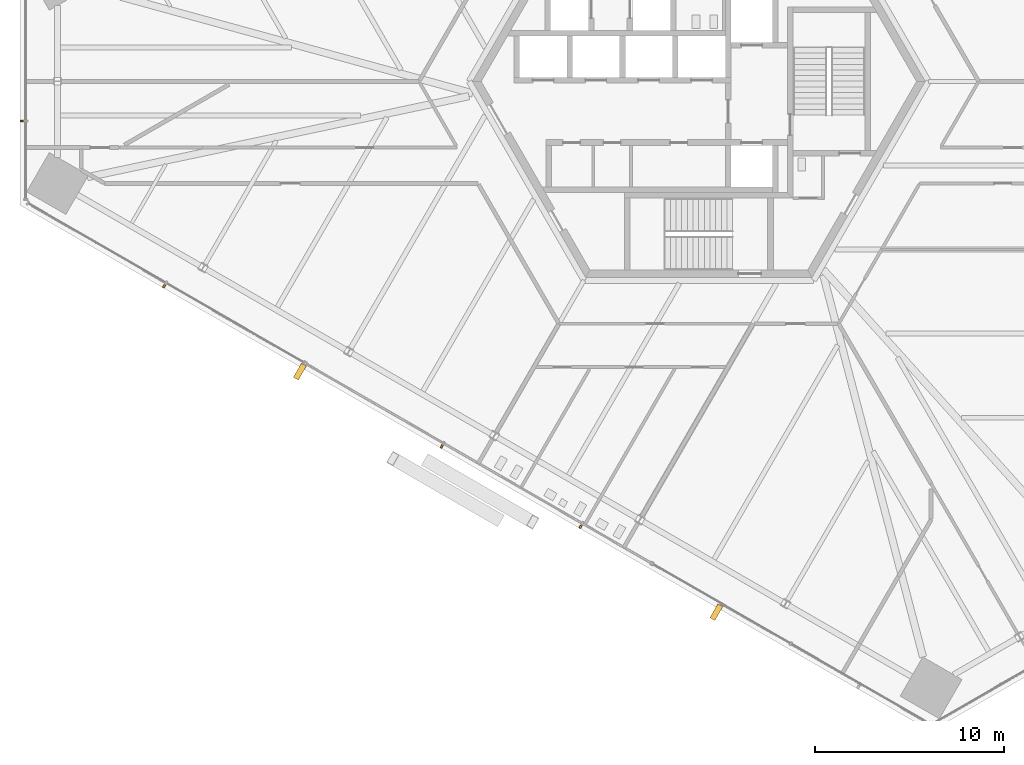
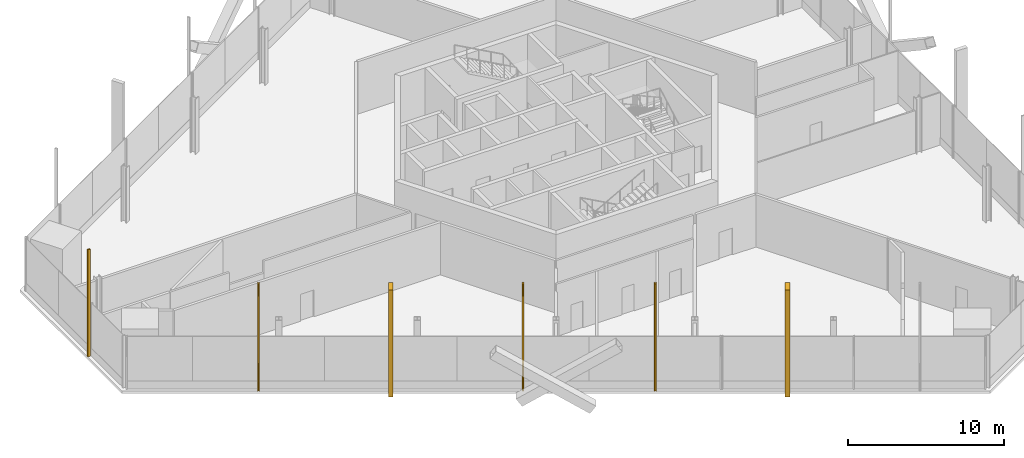
# One storey, part 14 of 18: 6 shading devices.
"""IFC4 building model written with IfcOpenShell, lengths in metres."""

from ifc_helpers import new_model, si_unit, direction, frame, origin, origin_2d, place, context, subcontext, project, spatial, rectangle, extrude, source, transform, mapped, material, element, save


model = new_model("IFC4")

# Units and contexts
model_context = context("Model", 3, precision=1e-05, world=origin(), true_north=direction((0.0, 1.0)))
body_context = subcontext(model_context, "Body", "Model", "MODEL_VIEW")
ifc_project = project(units=[si_unit("LENGTHUNIT", "METRE"), si_unit("AREAUNIT", "SQUARE_METRE"), si_unit("VOLUMEUNIT", "CUBIC_METRE"), si_unit("PLANEANGLEUNIT", "RADIAN"), si_unit("MASSUNIT", "GRAM", prefix="KILO")], contexts=[model_context])

# Site, building, storey
site_placement = place(None, origin())
site = spatial("IfcSite", under=ifc_project, at=site_placement, CompositionType="ELEMENT")
building_placement = place(site_placement, origin())
building = spatial("IfcBuilding", under=site, at=building_placement, Name="Triune Harvest Tower", CompositionType="ELEMENT")
storey_placement = place(building_placement, frame((0.0, 0.0, 33.199951171875)))
storey = spatial("IfcBuildingStorey", under=building, at=storey_placement, Name="L07", CompositionType="ELEMENT", Elevation=33.199951171875)

# Shading devices
ifc_material = material(Name="Aluminium bronze anodised", Category="aluminium")
shared_shape_1 = source(origin(), body_context, "Body", "SweptSolid", [
    extrude(rectangle(XDim=0.10009765625, YDim=0.199951171875, at=origin_2d()), origin(), (0.0, 0.0, 1.0), 8.39990234375),
])
for number, where, z_axis, x_axis, name in (
    (1, (-35.880615234375, -2.098876953125, 0.0), (0.0, 0.0, 1.0), (0.0, -1.0, 0.0), "FN-1 fin B1-F4.3 L07"),
    (2, (-28.343505859375, -10.853759765625, 0.0), (0.0, 0.0, 1.0), (0.866025470037, -0.499999885247, 0.0), "FN-1 fin B1-F5.3 L07"),
    (3, (-13.62548828125, -19.351318359375, 0.0), (0.0, 0.0, 1.0), (0.866025470037, -0.499999885247, 0.0), "FN-1 fin B1-F5.7 L07"),
    (4, (-6.266357421875, -23.599853515625, 0.0), (0.0, 0.0, 1.0), (0.866025470037, -0.499999885247, 0.0), "FN-1 fin B1-F5.9 L07"),
):
    element("IfcShadingDevice", number, at=place(storey_placement, frame(where, z_axis=z_axis, x_axis=x_axis)), inside=storey, material=ifc_material, Name=name, ObjectType="FIN", PredefinedType="USERDEFINED", context=body_context, shape_type="MappedRepresentation", body=[
        mapped(shared_shape_1, transform((0.0, 0.0, 0.0), scale=1.0)),
    ])
shared_shape_2 = source(origin(), body_context, "Body", "SweptSolid", [
    extrude(rectangle(XDim=0.300048828125, YDim=0.85009765625, at=origin_2d()), origin(), (0.0, 0.0, 1.0), 8.39990234375),
])
for number, where, z_axis, x_axis, name in (
    (5, (-21.14697265625, -15.384033203125, 0.0), (0.0, 0.0, 1.0), (0.866025470037, -0.499999885247, 0.0), "FN-2 fin B1-F5.5 L07"),
    (6, (0.93017578125, -28.130126953125, 0.0), (0.0, 0.0, 1.0), (0.866025470037, -0.499999885247, 0.0), "FN-2 fin B1-F5.11 L07"),
):
    element("IfcShadingDevice", number, at=place(storey_placement, frame(where, z_axis=z_axis, x_axis=x_axis)), inside=storey, material=ifc_material, Name=name, ObjectType="FIN", PredefinedType="USERDEFINED", context=body_context, shape_type="MappedRepresentation", body=[
        mapped(shared_shape_2, transform((0.0, 0.0, 0.0), scale=1.0)),
    ])

save(model, "model.ifc")
